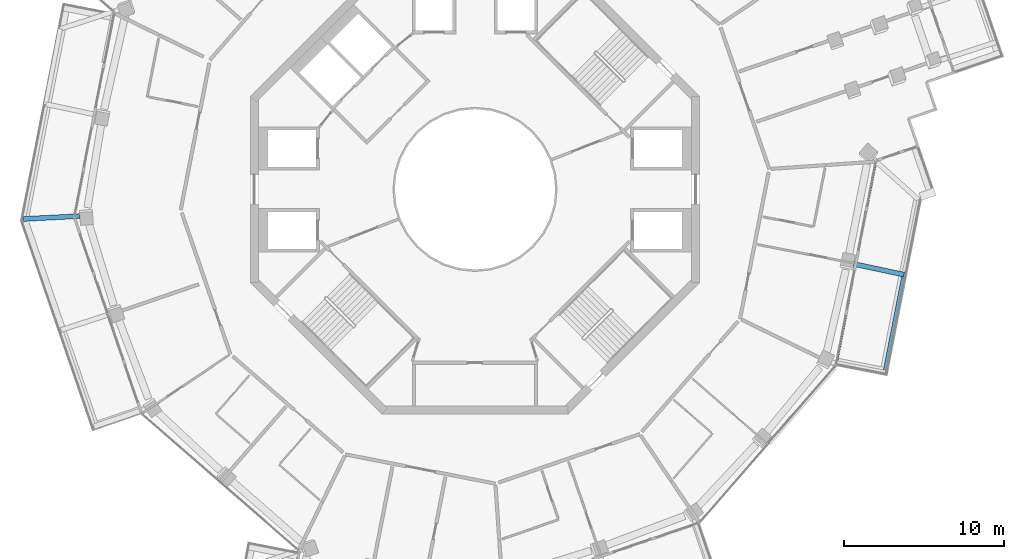
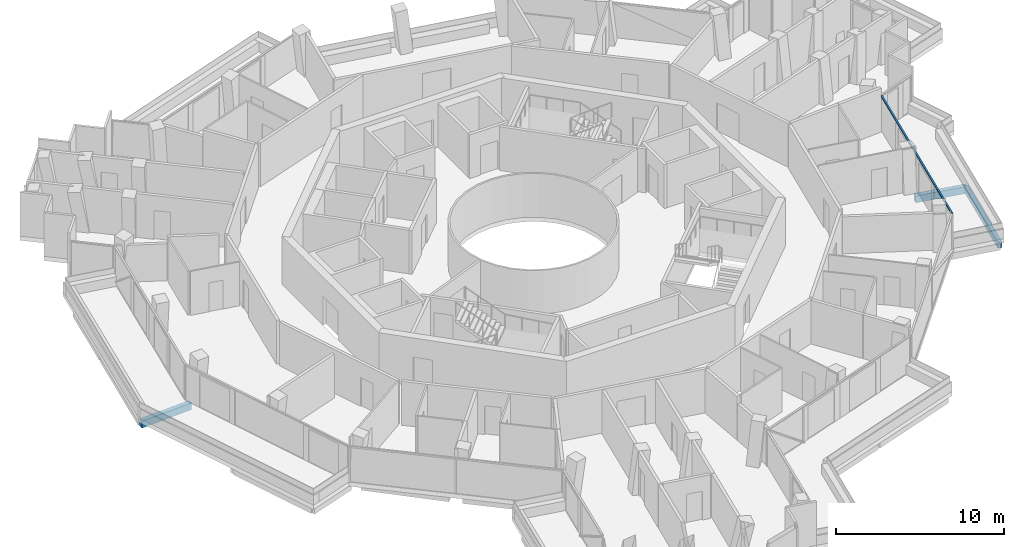
# One storey, part 5 of 22: 3 beams, 1 member, 1 element without a shape of its own.
"""IFC4 building model written with IfcOpenShell, lengths in metres."""

from ifc_helpers import new_model, si_unit, direction, frame, origin, origin_2d, place, context, subcontext, project, spatial, rectangle, extrude, material, layer, layer_set, material_profile, profile_set, type_object, element, aggregate, save


model = new_model("IFC4")

# Units and contexts
model_context = context("Model", 3, precision=1e-05, world=origin(), true_north=direction((0.0, 1.0)))
body_context = subcontext(model_context, "Body", "Model", "MODEL_VIEW")
ifc_project = project(units=[si_unit("LENGTHUNIT", "METRE"), si_unit("AREAUNIT", "SQUARE_METRE"), si_unit("VOLUMEUNIT", "CUBIC_METRE"), si_unit("PLANEANGLEUNIT", "RADIAN"), si_unit("MASSUNIT", "GRAM", prefix="KILO")], contexts=[model_context])

# Site, building, storey
site_placement = place(None, origin())
site = spatial("IfcSite", under=ifc_project, at=site_placement, CompositionType="ELEMENT")
building_placement = place(site_placement, origin())
building = spatial("IfcBuilding", under=site, at=building_placement, Name="Verdalira Terraces Hotel", CompositionType="ELEMENT")
storey_placement = place(building_placement, frame((0.0, 0.0, 234.0)))
storey = spatial("IfcBuildingStorey", under=building, at=storey_placement, Name="L57", CompositionType="ELEMENT", Elevation=234.0)

# Beams
ifc_material_1 = material(Name="Concrete C40", Category="concrete")
ifc_material_profile_1 = material_profile(ifc_material_1, rectangle(XDim=0.300049, YDim=0.5, at=origin_2d()), Name="RC 300X500")
ifc_profile_set_1 = profile_set([ifc_material_profile_1], Name="Concrete C40")
beam_type_1 = type_object("IfcBeamType", Name="Balcony cantilever beam RC 300X500 C40", PredefinedType="BEAM", material=ifc_profile_set_1)
beam_1_placement = place(storey_placement, frame((-24.629395, -1.662109, -0.560059), z_axis=(-0.998630658, -0.052314518, 0.0), x_axis=(0.052314518, -0.998630658, 0.0)))
element("IfcBeam", 1, at=beam_1_placement, inside=storey, type_object=beam_type_1, Name="Balcony cantilever beam R11-5", PredefinedType="BEAM", context=body_context, shape_type="SweptSolid", body=[
    extrude(rectangle(XDim=0.300049, YDim=0.5, at=origin_2d()), origin(), (0.0, 0.0, 1.0), 3.51416),
])
beam_2_placement = place(storey_placement, frame((23.604736, -4.647949, -0.560059), z_axis=(0.978144891, -0.207924437, 0.0), x_axis=(0.207924437, 0.978144891, 0.0)))
element("IfcBeam", 2, at=beam_2_placement, inside=storey, type_object=beam_type_1, Name="Balcony cantilever beam R27-2", PredefinedType="BEAM", context=body_context, shape_type="SweptSolid", body=[
    extrude(rectangle(XDim=0.300049, YDim=0.5, at=origin_2d()), origin(), (0.0, 0.0, 1.0), 3.200928),
])
ifc_material_2 = material(Name="Concrete C40", Category="concrete")
ifc_material_profile_2 = material_profile(ifc_material_2, rectangle(XDim=0.25, YDim=0.449951, at=origin_2d()), Name="RC 250X450")
ifc_profile_set_2 = profile_set([ifc_material_profile_2], Name="Concrete C40")
beam_type_2 = type_object("IfcBeamType", Name="Balcony edge beam RC 250X450 C40", PredefinedType="BEAM", material=ifc_profile_set_2)
beam_3_placement = place(storey_placement, frame((25.543701, -11.423096, -0.534912), z_axis=(0.191475342, 0.981497424, 0.0), x_axis=(-0.981497424, 0.191475342, 0.0)))
element("IfcBeam", 3, at=beam_3_placement, inside=storey, type_object=beam_type_2, Name="Balcony edge beam R27-1", PredefinedType="BEAM", context=body_context, shape_type="SweptSolid", body=[
    extrude(rectangle(XDim=0.25, YDim=0.449951, at=origin_2d()), origin(), (0.0, 0.0, 1.0), 6.224854),
])

# Curtain wall, member
ifc_material_3 = material(Name="Clear glass", Category="glass")
ifc_layer = layer(ifc_material_3, 0.14990234375)
ifc_layer_set = layer_set([ifc_layer], Name="CW1 curtain wall")
curtain_wall_type = type_object("IfcCurtainWallType", Name="CW1 curtain wall", PredefinedType="NOTDEFINED", material=ifc_layer_set)
curtain_wall_placement = place(storey_placement, origin())
curtain_wall = element("IfcCurtainWall", 4, at=curtain_wall_placement, inside=storey, type_object=curtain_wall_type, Name="CW1 curtain wall L57 edge 27", PredefinedType="NOTDEFINED")
ifc_material_4 = material(Name="Terracotta frame", Category="masonry")
ifc_material_profile_3 = material_profile(ifc_material_4, rectangle(XDim=0.110107, YDim=0.064941, at=origin_2d()), Name="TR 65x110")
ifc_profile_set_3 = profile_set([ifc_material_profile_3], Name="Terracotta frame")
member_type = type_object("IfcMemberType", Name="CW1 transom 65x110", PredefinedType="USERDEFINED", material=ifc_profile_set_3)
member_placement = place(storey_placement, frame((22.498779, -10.971191, 2.557617), z_axis=(0.191491327, 0.981494306, 0.0), x_axis=(-0.981494306, 0.191491327, 0.0)))
member = element("IfcMember", 5, at=member_placement, type_object=member_type, Name="CW1 transom", ObjectType="TRANSOM", PredefinedType="USERDEFINED", context=body_context, shape_type="SweptSolid", body=[
    extrude(rectangle(XDim=0.110107, YDim=0.064941, at=origin_2d()), origin(), (0.0, 0.0, 1.0), 12.959717),
])
aggregate(curtain_wall, [member])

save(model, "model.ifc")
